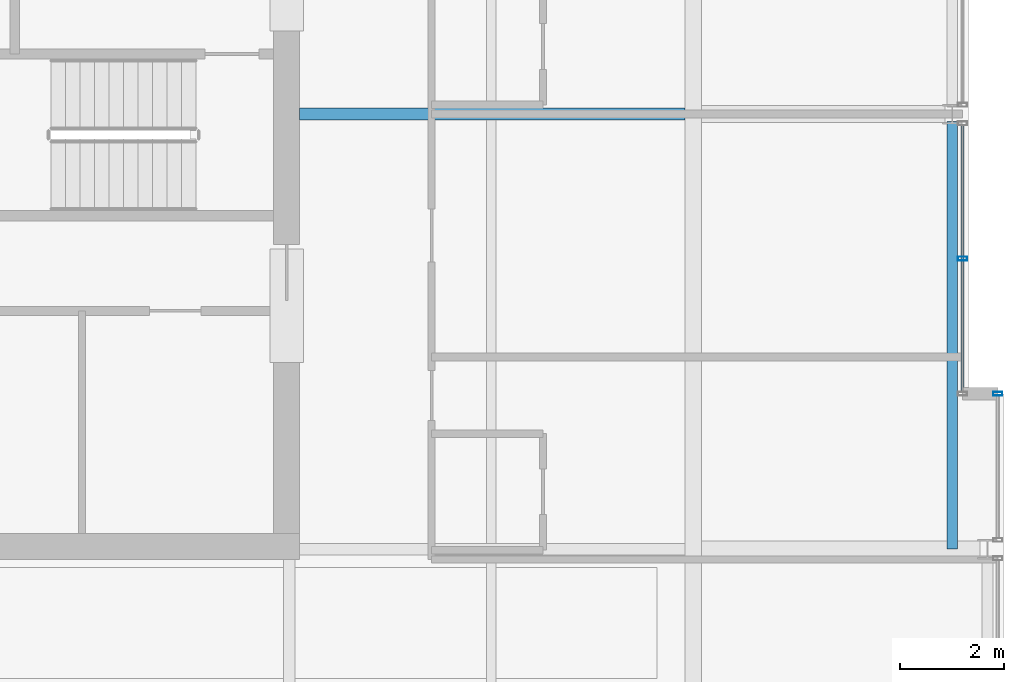
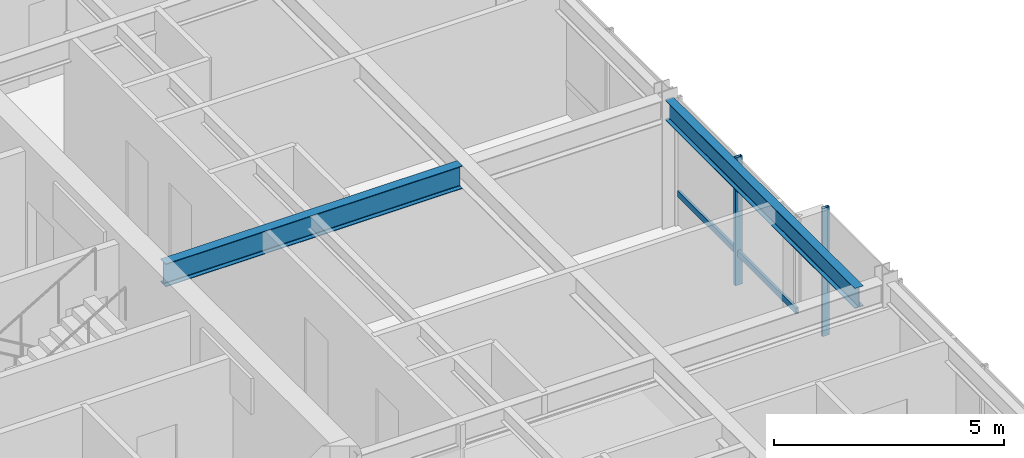
# One storey, part 13 of 32: 3 members, 2 beams, 2 elements without a shape of their own.
"""IFC4 building model written with IfcOpenShell, lengths in metres."""

from ifc_helpers import new_model, si_unit, direction, frame, origin, origin_2d, place, context, subcontext, project, spatial, hollow_rectangle, i_section, extrude, material, layer, layer_set, material_profile, profile_set, type_object, element, aggregate, save


model = new_model("IFC4")

# Units and contexts
model_context = context("Model", 3, precision=1e-05, world=origin(), true_north=direction((0.0, 1.0)))
body_context = subcontext(model_context, "Body", "Model", "MODEL_VIEW")
ifc_project = project(units=[si_unit("LENGTHUNIT", "METRE"), si_unit("AREAUNIT", "SQUARE_METRE"), si_unit("VOLUMEUNIT", "CUBIC_METRE"), si_unit("PLANEANGLEUNIT", "RADIAN"), si_unit("MASSUNIT", "GRAM", prefix="KILO")], contexts=[model_context])

# Site, building, storey
site_placement = place(None, origin())
site = spatial("IfcSite", under=ifc_project, at=site_placement, CompositionType="ELEMENT")
building_placement = place(site_placement, origin())
building = spatial("IfcBuilding", under=site, at=building_placement, Name="Drelvath Grand Hotel", CompositionType="ELEMENT")
storey_placement = place(building_placement, frame((0.0, 0.0, 265.0)))
storey = spatial("IfcBuildingStorey", under=building, at=storey_placement, Name="L69", CompositionType="ELEMENT", Elevation=265.0)

# Curtain wall, members
ifc_material_1 = material(Name="Platinum-Mist Anodised Aluminium Frame", Category="aluminium")
ifc_layer = layer(ifc_material_1, 0.199951171875)
ifc_layer_set = layer_set([ifc_layer], Name="Platinum-Mist Anodised Aluminium Frame")
curtain_wall_type = type_object("IfcCurtainWallType", Name="Stick Curtain Wall CW-05 Platinum Mist High-Rise", PredefinedType="NOTDEFINED", material=ifc_layer_set)
curtain_wall_1_placement = place(storey_placement, origin())
curtain_wall_1 = element("IfcCurtainWall", 1, at=curtain_wall_1_placement, inside=storey, type_object=curtain_wall_type, Name="L69 CW-05 Curtain Wall CW05-L69-EM1", PredefinedType="NOTDEFINED")
ifc_material_profile_1 = material_profile(ifc_material_1, hollow_rectangle(XDim=0.06494140625, YDim=0.159912109375, WallThickness=0.00390625, at=origin_2d()), Name="HSS160X65X4")
ifc_profile_set_1 = profile_set([ifc_material_profile_1], Name="Platinum-Mist Anodised Aluminium Frame")
member_type_1 = type_object("IfcMemberType", Name="Curtain Wall Horizontal Transom CW-05 HSS160X65X4", PredefinedType="USERDEFINED", material=ifc_profile_set_1)
member_1_placement = place(storey_placement, frame((21.39990234375, 26.78173828125, 0.847412109375), z_axis=(0.0, -1.0, 0.0), x_axis=(1.0, 0.0, 0.0)))
member_1 = element("IfcMember", 2, at=member_1_placement, type_object=member_type_1, Name="CW05-L69-EM1 Sill Transom", ObjectType="TRANSOM", PredefinedType="USERDEFINED", context=body_context, shape_type="SweptSolid", body=[
    extrude(hollow_rectangle(XDim=0.06494140625, YDim=0.159912109375, WallThickness=0.00390625, at=origin_2d()), origin(), (0.0, 0.0, 1.0), 5.141845703125),
])
ifc_material_profile_2 = material_profile(ifc_material_1, hollow_rectangle(XDim=0.074951171875, YDim=0.179931640625, WallThickness=0.0048828125, at=origin_2d()), Name="HSS180X75X5")
ifc_profile_set_2 = profile_set([ifc_material_profile_2], Name="Platinum-Mist Anodised Aluminium Frame")
member_type_2 = type_object("IfcMemberType", Name="Curtain Wall Vertical Mullion CW-05 HSS180X75X5", PredefinedType="MULLION", material=ifc_profile_set_2)
member_2_placement = place(storey_placement, frame((21.39990234375, 24.2109375, 0.0), z_axis=(0.0, 0.0, 1.0), x_axis=(0.0, 1.0, 0.0)))
member_2 = element("IfcMember", 3, at=member_2_placement, type_object=member_type_2, Name="CW05-L69-EM1 Mullion 2", PredefinedType="MULLION", context=body_context, shape_type="SweptSolid", body=[
    extrude(hollow_rectangle(XDim=0.074951171875, YDim=0.179931640625, WallThickness=0.0048828125, at=origin_2d()), origin(), (0.0, 0.0, 1.0), 3.389892578125),
])
aggregate(curtain_wall_1, [member_2, member_1])

# Curtain wall, member
curtain_wall_2_placement = place(storey_placement, origin())
curtain_wall_2 = element("IfcCurtainWall", 4, at=curtain_wall_2_placement, inside=storey, type_object=curtain_wall_type, Name="L69 CW-05 Curtain Wall CW05-L69-ES2", PredefinedType="NOTDEFINED")
member_3_placement = place(storey_placement, frame((22.080078125, 21.60009765625, 0.0), z_axis=(0.0, 0.0, 1.0), x_axis=(0.0, 1.0, 0.0)))
member_3 = element("IfcMember", 5, at=member_3_placement, type_object=member_type_2, Name="CW05-L69-ES2 Mullion 1", PredefinedType="MULLION", context=body_context, shape_type="SweptSolid", body=[
    extrude(hollow_rectangle(XDim=0.074951171875, YDim=0.179931640625, WallThickness=0.0048828125, at=origin_2d()), origin(), (0.0, 0.0, 1.0), 3.389892578125),
])
aggregate(curtain_wall_2, [member_3])

# Beams
ifc_material_2 = material(Name="Steel ASTM A992 Gr 50", Category="steel")
ifc_material_profile_3 = material_profile(ifc_material_2, i_section(OverallWidth=0.210205078125, OverallDepth=0.53662109375, WebThickness=0.010986328125, FlangeThickness=0.017333984375, FilletRadius=0.01806640625, at=origin_2d()), Name="W21X68")
ifc_profile_set_3 = profile_set([ifc_material_profile_3], Name="Steel ASTM A992 Gr 50")
beam_type_1 = type_object("IfcBeamType", Name="Perimeter Spandrel Beam W21X68", PredefinedType="SPANDREL", material=ifc_profile_set_3)
beam_1_placement = place(storey_placement, frame((21.199951171875, 18.60009765625, 3.12158203125), z_axis=(0.0, 1.0, 0.0), x_axis=(-1.0, 0.0, 0.0)))
element("IfcBeam", 6, at=beam_1_placement, inside=storey, type_object=beam_type_1, Name="L69 Spandrel East Mid S", PredefinedType="SPANDREL", context=body_context, shape_type="SweptSolid", body=[
    extrude(i_section(OverallWidth=0.210205078125, OverallDepth=0.53662109375, WebThickness=0.010986328125, FlangeThickness=0.017333984375, FilletRadius=0.01806640625, at=origin_2d()), origin(), (0.0, 0.0, 1.0), 8.260009765625),
])
ifc_material_profile_4 = material_profile(ifc_material_2, i_section(OverallWidth=0.228271484375, OverallDepth=0.607666015625, WebThickness=0.01123046875, FlangeThickness=0.017333984375, FilletRadius=0.02001953125, at=origin_2d()), Name="W24X76")
ifc_profile_set_4 = profile_set([ifc_material_profile_4], Name="Steel ASTM A992 Gr 50")
beam_type_2 = type_object("IfcBeamType", Name="Primary Floor Girder W24X76", PredefinedType="BEAM", material=ifc_profile_set_4)
beam_2_placement = place(storey_placement, frame((8.60009765625, 27.0, 3.086181640625), z_axis=(1.0, 0.0, 0.0), x_axis=(0.0, 1.0, 0.0)))
element("IfcBeam", 7, at=beam_2_placement, inside=storey, type_object=beam_type_2, Name="L69 East Core Tie E", PredefinedType="BEAM", context=body_context, shape_type="SweptSolid", body=[
    extrude(i_section(OverallWidth=0.228271484375, OverallDepth=0.607666015625, WebThickness=0.01123046875, FlangeThickness=0.017333984375, FilletRadius=0.02001953125, at=origin_2d()), origin(), (0.0, 0.0, 1.0), 7.43798828125),
])

save(model, "model.ifc")
